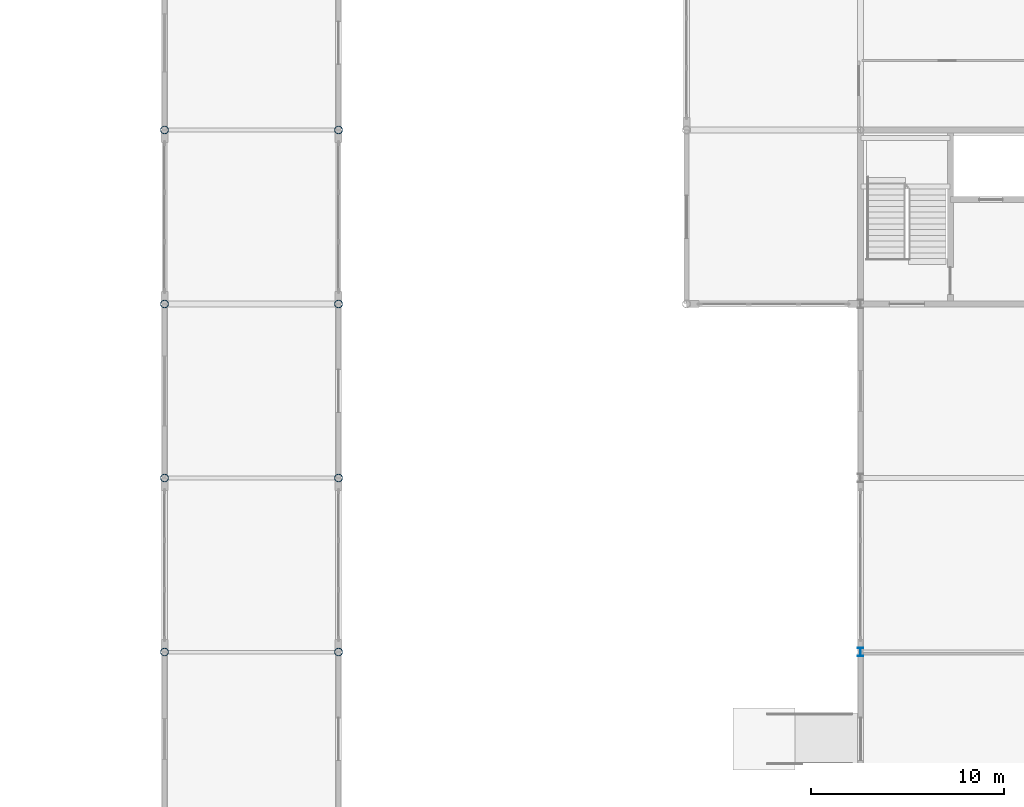
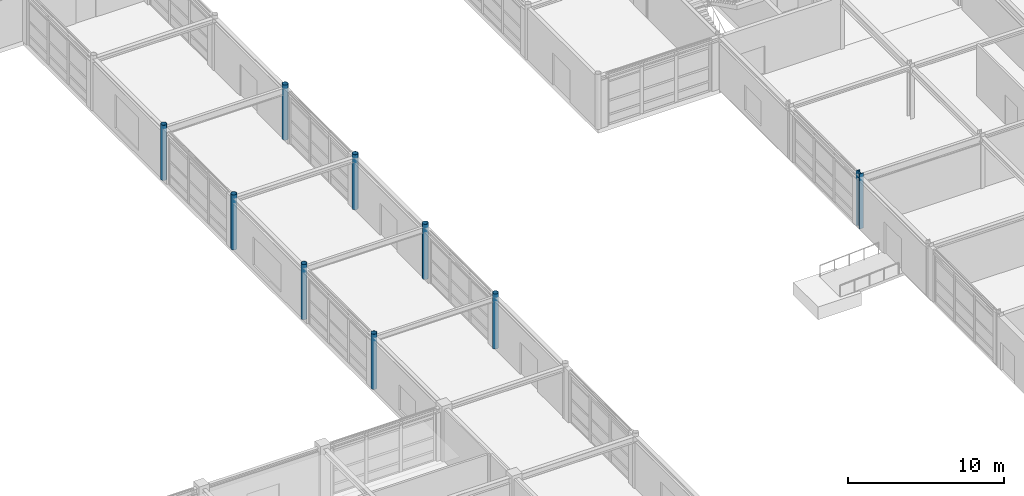
# One storey, part 6 of 72: 9 columns.
"""IFC4 building model written with IfcOpenShell, lengths in metres."""

from ifc_helpers import new_model, si_unit, direction, frame, origin, origin_2d, place, context, subcontext, project, spatial, hollow_circle, i_section, extrude, material, material_profile, profile_set, type_object, element, save


model = new_model("IFC4")

# Units and contexts
model_context = context("Model", 3, precision=1e-05, world=origin(), true_north=direction((0.0, 1.0)))
body_context = subcontext(model_context, "Body", "Model", "MODEL_VIEW")
ifc_project = project(units=[si_unit("LENGTHUNIT", "METRE"), si_unit("AREAUNIT", "SQUARE_METRE"), si_unit("VOLUMEUNIT", "CUBIC_METRE"), si_unit("PLANEANGLEUNIT", "RADIAN"), si_unit("MASSUNIT", "GRAM", prefix="KILO")], contexts=[model_context])

# Site, building, storey
site_placement = place(None, origin())
site = spatial("IfcSite", under=ifc_project, at=site_placement, CompositionType="ELEMENT")
building_placement = place(site_placement, origin())
building = spatial("IfcBuilding", under=site, at=building_placement, Name="Palais des Congres Ocreval", CompositionType="ELEMENT")
storey_placement = place(building_placement, origin())
storey = spatial("IfcBuildingStorey", under=building, at=storey_placement, Name="L00", CompositionType="ELEMENT", Elevation=0.0)

# Columns
ifc_material = material(Name="Steel S355", Category="steel")
ifc_material_profile_1 = material_profile(ifc_material, hollow_circle(Radius=0.203125, WallThickness=0.01611328125, at=origin_2d()), Name="CHS 406.4x16")
ifc_profile_set_1 = profile_set([ifc_material_profile_1], Name="Steel S355")
column_type_1 = type_object("IfcColumnType", Name="Column CHS 406.4x16 Steel S355", PredefinedType="COLUMN", material=ifc_profile_set_1)
for number, where, z_axis, x_axis, name in (
    (1, (72.0, 27.0, 0.0), (0.0, 0.0, 1.0), (1.0, 0.0, 0.0), "Column C15 L00"),
    (2, (72.0, 36.0, 0.0), (0.0, 0.0, 1.0), (1.0, 0.0, 0.0), "Column C15 L00"),
    (3, (72.0, 45.0, 0.0), (0.0, 0.0, 1.0), (1.0, 0.0, 0.0), "Column C15 L00"),
    (4, (72.0, 54.0, 0.0), (0.0, 0.0, 1.0), (1.0, 0.0, 0.0), "Column C15 L00"),
    (5, (81.0, 27.0, 0.0), (0.0, 0.0, 1.0), (1.0, 0.0, 0.0), "Column C15 L00"),
    (6, (81.0, 36.0, 0.0), (0.0, 0.0, 1.0), (1.0, 0.0, 0.0), "Column C15 L00"),
    (7, (81.0, 45.0, 0.0), (0.0, 0.0, 1.0), (1.0, 0.0, 0.0), "Column C15 L00"),
    (8, (81.0, 54.0, 0.0), (0.0, 0.0, 1.0), (1.0, 0.0, 0.0), "Column C15 L00"),
):
    element("IfcColumn", number, at=place(storey_placement, frame(where, z_axis=z_axis, x_axis=x_axis)), inside=storey, type_object=column_type_1, Name=name, PredefinedType="COLUMN", context=body_context, shape_type="SweptSolid", body=[
        extrude(hollow_circle(Radius=0.203125, WallThickness=0.01611328125, at=origin_2d()), origin(), (0.0, 0.0, 1.0), 4.320068359375),
    ])
ifc_material_profile_2 = material_profile(ifc_material, i_section(OverallWidth=0.300048828125, OverallDepth=0.449951171875, WebThickness=0.013916015625, FlangeThickness=0.02587890625, at=origin_2d()), Name="HEB 450")
ifc_profile_set_2 = profile_set([ifc_material_profile_2], Name="Steel S355")
column_type_2 = type_object("IfcColumnType", Name="Column HEB 450 Steel S355", PredefinedType="COLUMN", material=ifc_profile_set_2)
column_placement = place(storey_placement, frame((108.0, 27.0, 0.0), z_axis=(0.0, 0.0, 1.0), x_axis=(1.0, 0.0, 0.0)))
element("IfcColumn", 9, at=column_placement, inside=storey, type_object=column_type_2, Name="Column C09 L00", PredefinedType="COLUMN", context=body_context, shape_type="SweptSolid", body=[
    extrude(i_section(OverallWidth=0.300048828125, OverallDepth=0.449951171875, WebThickness=0.013916015625, FlangeThickness=0.02587890625, at=origin_2d()), origin(), (0.0, 0.0, 1.0), 4.320068359375),
])

save(model, "model.ifc")
